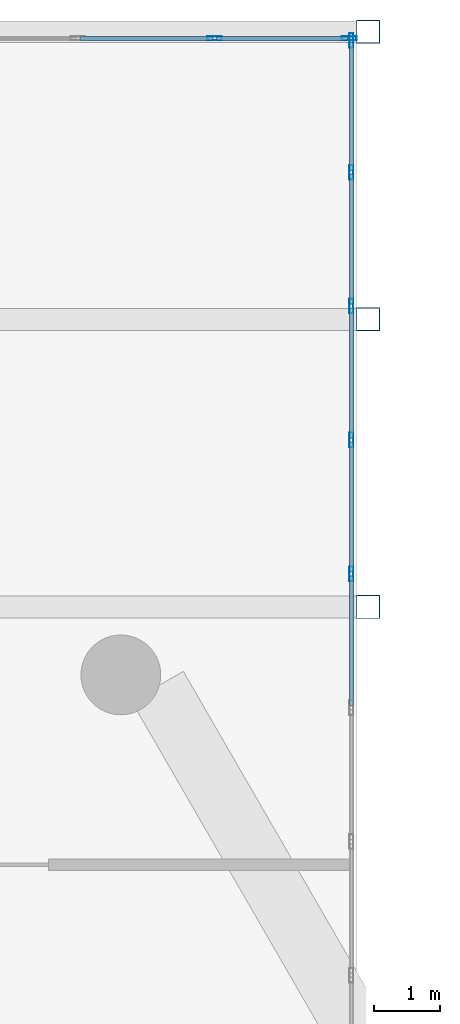
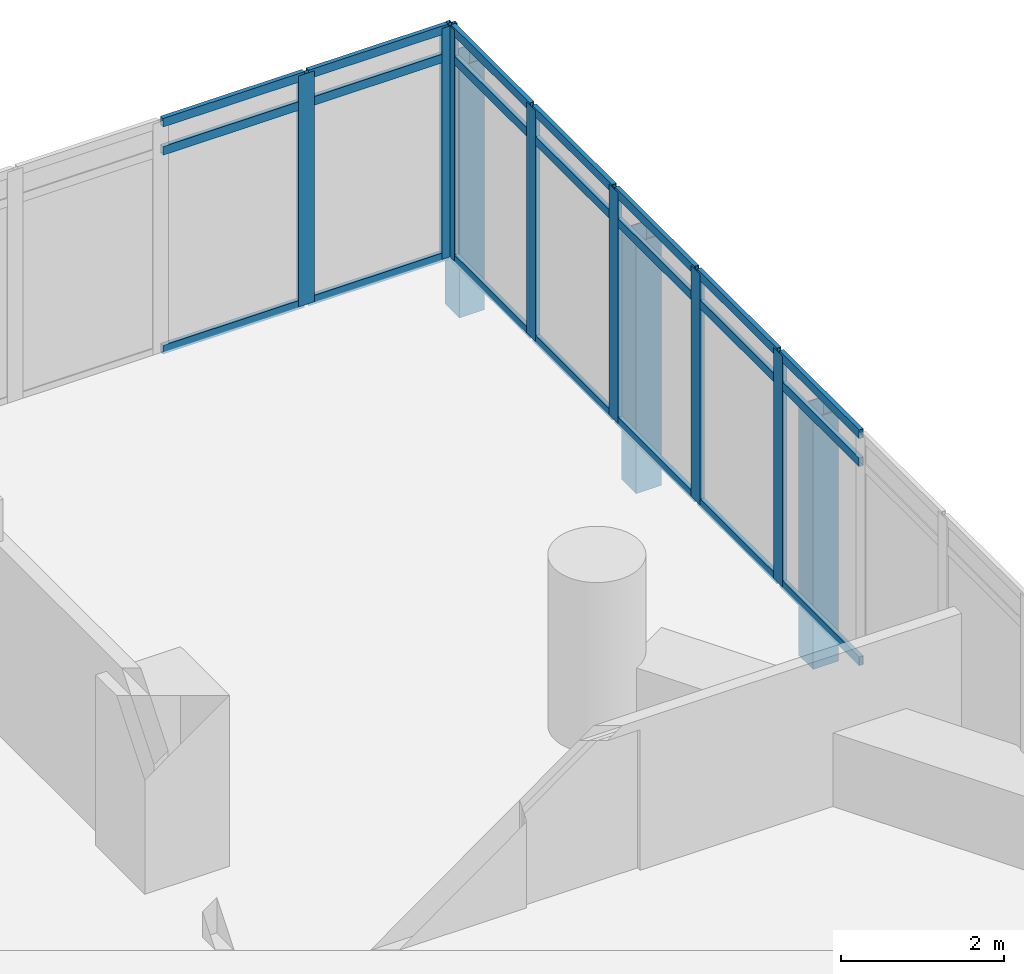
# One storey, part 23 of 36: 31 members, 2 elements without a shape of their own.
"""IFC4 building model written with IfcOpenShell, lengths in metres."""

from ifc_helpers import new_model, si_unit, direction, frame, origin, origin_2d, place, context, subcontext, project, spatial, hollow_rectangle, extrude, material, material_profile, profile_set, type_object, element, aggregate, save


model = new_model("IFC4")

# Units and contexts
model_context = context("Model", 3, precision=1e-05, world=origin(), true_north=direction((0.0, 1.0)))
body_context = subcontext(model_context, "Body", "Model", "MODEL_VIEW")
ifc_project = project(units=[si_unit("LENGTHUNIT", "METRE"), si_unit("AREAUNIT", "SQUARE_METRE"), si_unit("VOLUMEUNIT", "CUBIC_METRE"), si_unit("PLANEANGLEUNIT", "RADIAN"), si_unit("MASSUNIT", "GRAM", prefix="KILO")], contexts=[model_context])

# Site, building, storey
site_placement = place(None, origin())
site = spatial("IfcSite", under=ifc_project, at=site_placement, CompositionType="ELEMENT")
building_placement = place(site_placement, origin())
building = spatial("IfcBuilding", under=site, at=building_placement, Name="Ostrander Bayou Hotel Tower", CompositionType="ELEMENT")
storey_placement = place(building_placement, frame((0.0, 0.0, 138.5)))
storey = spatial("IfcBuildingStorey", under=building, at=storey_placement, Name="L34", CompositionType="ELEMENT", Elevation=138.5)

# Curtain wall, members
ifc_material_1 = material(Name="Aluminium and clear glass", Category="aluminium")
curtain_wall_type = type_object("IfcCurtainWallType", Name="CW-BAR glazed wall", PredefinedType="NOTDEFINED", material=ifc_material_1)
curtain_wall_1_placement = place(storey_placement, origin())
curtain_wall_1 = element("IfcCurtainWall", 1, at=curtain_wall_1_placement, inside=storey, type_object=curtain_wall_type, Name="CW-BAR L34:SB3N:T", PredefinedType="NOTDEFINED")
ifc_material_2 = material(Name="Aluminium", Category="aluminium")
ifc_material_profile_1 = material_profile(ifc_material_2, hollow_rectangle(XDim=0.06005859375, YDim=0.219970703125, WallThickness=0.00390625, at=origin_2d()))
ifc_profile_set_1 = profile_set([ifc_material_profile_1], Name="Aluminium")
member_type_1 = type_object("IfcMemberType", Name="CW-BR mullion 60 x 220 mm", PredefinedType="MULLION", material=ifc_profile_set_1)
member_1_placement = place(storey_placement, frame((11.310791015625, 29.037109375, 0.0), z_axis=(0.0, 0.0, 1.0), x_axis=(0.0, 1.0, 0.0)))
member_1 = element("IfcMember", 2, at=member_1_placement, type_object=member_type_1, Name="CW-BAR mullion 13", PredefinedType="MULLION", context=body_context, shape_type="SweptSolid", body=[
    extrude(hollow_rectangle(XDim=0.06005859375, YDim=0.219970703125, WallThickness=0.00390625, at=origin_2d()), origin(), (0.0, 0.0, 1.0), 3.449951171875),
])
member_2_placement = place(storey_placement, frame((13.337158203125, 29.037109375, 0.0), z_axis=(0.0, 0.0, 1.0), x_axis=(0.0, 1.0, 0.0)))
member_2 = element("IfcMember", 3, at=member_2_placement, type_object=member_type_1, Name="CW-BAR mullion 14", PredefinedType="MULLION", context=body_context, shape_type="SweptSolid", body=[
    extrude(hollow_rectangle(XDim=0.06005859375, YDim=0.219970703125, WallThickness=0.00390625, at=origin_2d()), origin(), (0.0, 0.0, 1.0), 3.449951171875),
])

curtain_wall_2_placement = place(storey_placement, origin())
curtain_wall_2 = element("IfcCurtainWall", 4, at=curtain_wall_2_placement, inside=storey, type_object=curtain_wall_type, Name="CW-BAR L34:SB3N:W", PredefinedType="NOTDEFINED")
member_3_placement = place(storey_placement, frame((13.3671875, 20.979248046875, 0.0), z_axis=(0.0, 0.0, 1.0), x_axis=(-1.0, 0.0, 0.0)))
member_3 = element("IfcMember", 5, at=member_3_placement, type_object=member_type_1, Name="CW-BAR mullion 5", PredefinedType="MULLION", context=body_context, shape_type="SweptSolid", body=[
    extrude(hollow_rectangle(XDim=0.06005859375, YDim=0.219970703125, WallThickness=0.00390625, at=origin_2d()), origin(), (0.0, 0.0, 1.0), 3.449951171875),
])
member_4_placement = place(storey_placement, frame((13.3671875, 22.99365234375, 0.0), z_axis=(0.0, 0.0, 1.0), x_axis=(-1.0, 0.0, 0.0)))
member_4 = element("IfcMember", 6, at=member_4_placement, type_object=member_type_1, Name="CW-BAR mullion 6", PredefinedType="MULLION", context=body_context, shape_type="SweptSolid", body=[
    extrude(hollow_rectangle(XDim=0.06005859375, YDim=0.219970703125, WallThickness=0.00390625, at=origin_2d()), origin(), (0.0, 0.0, 1.0), 3.449951171875),
])
member_5_placement = place(storey_placement, frame((13.3671875, 25.00830078125, 0.0), z_axis=(0.0, 0.0, 1.0), x_axis=(-1.0, 0.0, 0.0)))
member_5 = element("IfcMember", 7, at=member_5_placement, type_object=member_type_1, Name="CW-BAR mullion 7", PredefinedType="MULLION", context=body_context, shape_type="SweptSolid", body=[
    extrude(hollow_rectangle(XDim=0.06005859375, YDim=0.219970703125, WallThickness=0.00390625, at=origin_2d()), origin(), (0.0, 0.0, 1.0), 3.449951171875),
])
member_6_placement = place(storey_placement, frame((13.3671875, 27.022705078125, 0.0), z_axis=(0.0, 0.0, 1.0), x_axis=(-1.0, 0.0, 0.0)))
member_6 = element("IfcMember", 8, at=member_6_placement, type_object=member_type_1, Name="CW-BAR mullion 8", PredefinedType="MULLION", context=body_context, shape_type="SweptSolid", body=[
    extrude(hollow_rectangle(XDim=0.06005859375, YDim=0.219970703125, WallThickness=0.00390625, at=origin_2d()), origin(), (0.0, 0.0, 1.0), 3.449951171875),
])
member_7_placement = place(storey_placement, frame((13.3671875, 29.007080078125, 0.0), z_axis=(0.0, 0.0, 1.0), x_axis=(-1.0, 0.0, 0.0)))
member_7 = element("IfcMember", 9, at=member_7_placement, type_object=member_type_1, Name="CW-BAR mullion 9", PredefinedType="MULLION", context=body_context, shape_type="SweptSolid", body=[
    extrude(hollow_rectangle(XDim=0.06005859375, YDim=0.219970703125, WallThickness=0.00390625, at=origin_2d()), origin(), (0.0, 0.0, 1.0), 3.449951171875),
])

# Member
ifc_material_3 = material(Name="Aluminium", Category="aluminium")
ifc_material_profile_2 = material_profile(ifc_material_3, hollow_rectangle(XDim=0.06005859375, YDim=0.1298828125, WallThickness=0.00390625, at=origin_2d()))
ifc_profile_set_2 = profile_set([ifc_material_profile_2], Name="Aluminium")
member_type_2 = type_object("IfcMemberType", Name="CW-BR transom 60 x 130 mm", PredefinedType="USERDEFINED", material=ifc_profile_set_2)
member_8_placement = place(storey_placement, frame((9.2841796875, 29.037109375, 0.030029296875), z_axis=(1.0, 0.0, 0.0), x_axis=(0.0, 1.0, 0.0)))
member_8 = element("IfcMember", 10, at=member_8_placement, type_object=member_type_2, Name="CW-BAR transom 12.1", ObjectType="TRANSOM", PredefinedType="USERDEFINED", context=body_context, shape_type="SweptSolid", body=[
    extrude(hollow_rectangle(XDim=0.06005859375, YDim=0.1298828125, WallThickness=0.00390625, at=origin_2d()), origin(), (0.0, 0.0, 1.0), 1.99658203125),
])

member_9_placement = place(storey_placement, frame((9.2841796875, 29.037109375, 3.0), z_axis=(1.0, 0.0, 0.0), x_axis=(0.0, 1.0, 0.0)))
member_9 = element("IfcMember", 11, at=member_9_placement, type_object=member_type_2, Name="CW-BAR transom 12.2", ObjectType="TRANSOM", PredefinedType="USERDEFINED", context=body_context, shape_type="SweptSolid", body=[
    extrude(hollow_rectangle(XDim=0.06005859375, YDim=0.1298828125, WallThickness=0.00390625, at=origin_2d()), origin(), (0.0, 0.0, 1.0), 1.99658203125),
])

member_10_placement = place(storey_placement, frame((9.2841796875, 29.037109375, 3.419921875), z_axis=(1.0, 0.0, 0.0), x_axis=(0.0, 1.0, 0.0)))
member_10 = element("IfcMember", 12, at=member_10_placement, type_object=member_type_2, Name="CW-BAR transom 12.3", ObjectType="TRANSOM", PredefinedType="USERDEFINED", context=body_context, shape_type="SweptSolid", body=[
    extrude(hollow_rectangle(XDim=0.06005859375, YDim=0.1298828125, WallThickness=0.00390625, at=origin_2d()), origin(), (0.0, 0.0, 1.0), 1.99658203125),
])

member_11_placement = place(storey_placement, frame((11.3408203125, 29.037109375, 0.030029296875), z_axis=(1.0, 0.0, 0.0), x_axis=(0.0, 1.0, 0.0)))
member_11 = element("IfcMember", 13, at=member_11_placement, type_object=member_type_2, Name="CW-BAR transom 13.1", ObjectType="TRANSOM", PredefinedType="USERDEFINED", context=body_context, shape_type="SweptSolid", body=[
    extrude(hollow_rectangle(XDim=0.06005859375, YDim=0.1298828125, WallThickness=0.00390625, at=origin_2d()), origin(), (0.0, 0.0, 1.0), 1.96630859375),
])

member_12_placement = place(storey_placement, frame((11.3408203125, 29.037109375, 3.0), z_axis=(1.0, 0.0, 0.0), x_axis=(0.0, 1.0, 0.0)))
member_12 = element("IfcMember", 14, at=member_12_placement, type_object=member_type_2, Name="CW-BAR transom 13.2", ObjectType="TRANSOM", PredefinedType="USERDEFINED", context=body_context, shape_type="SweptSolid", body=[
    extrude(hollow_rectangle(XDim=0.06005859375, YDim=0.1298828125, WallThickness=0.00390625, at=origin_2d()), origin(), (0.0, 0.0, 1.0), 1.96630859375),
])

member_13_placement = place(storey_placement, frame((11.3408203125, 29.037109375, 3.419921875), z_axis=(1.0, 0.0, 0.0), x_axis=(0.0, 1.0, 0.0)))
member_13 = element("IfcMember", 15, at=member_13_placement, type_object=member_type_2, Name="CW-BAR transom 13.3", ObjectType="TRANSOM", PredefinedType="USERDEFINED", context=body_context, shape_type="SweptSolid", body=[
    extrude(hollow_rectangle(XDim=0.06005859375, YDim=0.1298828125, WallThickness=0.00390625, at=origin_2d()), origin(), (0.0, 0.0, 1.0), 1.96630859375),
])

aggregate(curtain_wall_1, [member_1, member_2, member_8, member_9, member_10, member_11, member_12, member_13])

member_14_placement = place(storey_placement, frame((13.3671875, 18.994873046875, 0.030029296875), z_axis=(0.0, 1.0, 0.0), x_axis=(-1.0, 0.0, 0.0)))
member_14 = element("IfcMember", 16, at=member_14_placement, type_object=member_type_2, Name="CW-BAR transom 4.1", ObjectType="TRANSOM", PredefinedType="USERDEFINED", context=body_context, shape_type="SweptSolid", body=[
    extrude(hollow_rectangle(XDim=0.06005859375, YDim=0.1298828125, WallThickness=0.00390625, at=origin_2d()), origin(), (0.0, 0.0, 1.0), 1.954345703125),
])

member_15_placement = place(storey_placement, frame((13.3671875, 18.994873046875, 3.0), z_axis=(0.0, 1.0, 0.0), x_axis=(-1.0, 0.0, 0.0)))
member_15 = element("IfcMember", 17, at=member_15_placement, type_object=member_type_2, Name="CW-BAR transom 4.2", ObjectType="TRANSOM", PredefinedType="USERDEFINED", context=body_context, shape_type="SweptSolid", body=[
    extrude(hollow_rectangle(XDim=0.06005859375, YDim=0.1298828125, WallThickness=0.00390625, at=origin_2d()), origin(), (0.0, 0.0, 1.0), 1.954345703125),
])

member_16_placement = place(storey_placement, frame((13.3671875, 18.994873046875, 3.419921875), z_axis=(0.0, 1.0, 0.0), x_axis=(-1.0, 0.0, 0.0)))
member_16 = element("IfcMember", 18, at=member_16_placement, type_object=member_type_2, Name="CW-BAR transom 4.3", ObjectType="TRANSOM", PredefinedType="USERDEFINED", context=body_context, shape_type="SweptSolid", body=[
    extrude(hollow_rectangle(XDim=0.06005859375, YDim=0.1298828125, WallThickness=0.00390625, at=origin_2d()), origin(), (0.0, 0.0, 1.0), 1.954345703125),
])

member_17_placement = place(storey_placement, frame((13.3671875, 21.00927734375, 0.030029296875), z_axis=(0.0, 1.0, 0.0), x_axis=(-1.0, 0.0, 0.0)))
member_17 = element("IfcMember", 19, at=member_17_placement, type_object=member_type_2, Name="CW-BAR transom 5.1", ObjectType="TRANSOM", PredefinedType="USERDEFINED", context=body_context, shape_type="SweptSolid", body=[
    extrude(hollow_rectangle(XDim=0.06005859375, YDim=0.1298828125, WallThickness=0.00390625, at=origin_2d()), origin(), (0.0, 0.0, 1.0), 1.95458984375),
])

member_18_placement = place(storey_placement, frame((13.3671875, 21.00927734375, 3.0), z_axis=(0.0, 1.0, 0.0), x_axis=(-1.0, 0.0, 0.0)))
member_18 = element("IfcMember", 20, at=member_18_placement, type_object=member_type_2, Name="CW-BAR transom 5.2", ObjectType="TRANSOM", PredefinedType="USERDEFINED", context=body_context, shape_type="SweptSolid", body=[
    extrude(hollow_rectangle(XDim=0.06005859375, YDim=0.1298828125, WallThickness=0.00390625, at=origin_2d()), origin(), (0.0, 0.0, 1.0), 1.95458984375),
])

member_19_placement = place(storey_placement, frame((13.3671875, 21.00927734375, 3.419921875), z_axis=(0.0, 1.0, 0.0), x_axis=(-1.0, 0.0, 0.0)))
member_19 = element("IfcMember", 21, at=member_19_placement, type_object=member_type_2, Name="CW-BAR transom 5.3", ObjectType="TRANSOM", PredefinedType="USERDEFINED", context=body_context, shape_type="SweptSolid", body=[
    extrude(hollow_rectangle(XDim=0.06005859375, YDim=0.1298828125, WallThickness=0.00390625, at=origin_2d()), origin(), (0.0, 0.0, 1.0), 1.95458984375),
])

member_20_placement = place(storey_placement, frame((13.3671875, 23.023681640625, 0.030029296875), z_axis=(0.0, 1.0, 0.0), x_axis=(-1.0, 0.0, 0.0)))
member_20 = element("IfcMember", 22, at=member_20_placement, type_object=member_type_2, Name="CW-BAR transom 6.1", ObjectType="TRANSOM", PredefinedType="USERDEFINED", context=body_context, shape_type="SweptSolid", body=[
    extrude(hollow_rectangle(XDim=0.06005859375, YDim=0.1298828125, WallThickness=0.00390625, at=origin_2d()), origin(), (0.0, 0.0, 1.0), 1.95458984375),
])

member_21_placement = place(storey_placement, frame((13.3671875, 23.023681640625, 3.0), z_axis=(0.0, 1.0, 0.0), x_axis=(-1.0, 0.0, 0.0)))
member_21 = element("IfcMember", 23, at=member_21_placement, type_object=member_type_2, Name="CW-BAR transom 6.2", ObjectType="TRANSOM", PredefinedType="USERDEFINED", context=body_context, shape_type="SweptSolid", body=[
    extrude(hollow_rectangle(XDim=0.06005859375, YDim=0.1298828125, WallThickness=0.00390625, at=origin_2d()), origin(), (0.0, 0.0, 1.0), 1.95458984375),
])

member_22_placement = place(storey_placement, frame((13.3671875, 23.023681640625, 3.419921875), z_axis=(0.0, 1.0, 0.0), x_axis=(-1.0, 0.0, 0.0)))
member_22 = element("IfcMember", 24, at=member_22_placement, type_object=member_type_2, Name="CW-BAR transom 6.3", ObjectType="TRANSOM", PredefinedType="USERDEFINED", context=body_context, shape_type="SweptSolid", body=[
    extrude(hollow_rectangle(XDim=0.06005859375, YDim=0.1298828125, WallThickness=0.00390625, at=origin_2d()), origin(), (0.0, 0.0, 1.0), 1.95458984375),
])

member_23_placement = place(storey_placement, frame((13.3671875, 25.0380859375, 0.030029296875), z_axis=(0.0, 1.0, 0.0), x_axis=(-1.0, 0.0, 0.0)))
member_23 = element("IfcMember", 25, at=member_23_placement, type_object=member_type_2, Name="CW-BAR transom 7.1", ObjectType="TRANSOM", PredefinedType="USERDEFINED", context=body_context, shape_type="SweptSolid", body=[
    extrude(hollow_rectangle(XDim=0.06005859375, YDim=0.1298828125, WallThickness=0.00390625, at=origin_2d()), origin(), (0.0, 0.0, 1.0), 1.95458984375),
])

member_24_placement = place(storey_placement, frame((13.3671875, 25.0380859375, 3.0), z_axis=(0.0, 1.0, 0.0), x_axis=(-1.0, 0.0, 0.0)))
member_24 = element("IfcMember", 26, at=member_24_placement, type_object=member_type_2, Name="CW-BAR transom 7.2", ObjectType="TRANSOM", PredefinedType="USERDEFINED", context=body_context, shape_type="SweptSolid", body=[
    extrude(hollow_rectangle(XDim=0.06005859375, YDim=0.1298828125, WallThickness=0.00390625, at=origin_2d()), origin(), (0.0, 0.0, 1.0), 1.95458984375),
])

member_25_placement = place(storey_placement, frame((13.3671875, 25.0380859375, 3.419921875), z_axis=(0.0, 1.0, 0.0), x_axis=(-1.0, 0.0, 0.0)))
member_25 = element("IfcMember", 27, at=member_25_placement, type_object=member_type_2, Name="CW-BAR transom 7.3", ObjectType="TRANSOM", PredefinedType="USERDEFINED", context=body_context, shape_type="SweptSolid", body=[
    extrude(hollow_rectangle(XDim=0.06005859375, YDim=0.1298828125, WallThickness=0.00390625, at=origin_2d()), origin(), (0.0, 0.0, 1.0), 1.95458984375),
])

member_26_placement = place(storey_placement, frame((13.3671875, 27.052734375, 0.030029296875), z_axis=(0.0, 1.0, 0.0), x_axis=(-1.0, 0.0, 0.0)))
member_26 = element("IfcMember", 28, at=member_26_placement, type_object=member_type_2, Name="CW-BAR transom 8.1", ObjectType="TRANSOM", PredefinedType="USERDEFINED", context=body_context, shape_type="SweptSolid", body=[
    extrude(hollow_rectangle(XDim=0.06005859375, YDim=0.1298828125, WallThickness=0.00390625, at=origin_2d()), origin(), (0.0, 0.0, 1.0), 1.92431640625),
])

member_27_placement = place(storey_placement, frame((13.3671875, 27.052734375, 3.0), z_axis=(0.0, 1.0, 0.0), x_axis=(-1.0, 0.0, 0.0)))
member_27 = element("IfcMember", 29, at=member_27_placement, type_object=member_type_2, Name="CW-BAR transom 8.2", ObjectType="TRANSOM", PredefinedType="USERDEFINED", context=body_context, shape_type="SweptSolid", body=[
    extrude(hollow_rectangle(XDim=0.06005859375, YDim=0.1298828125, WallThickness=0.00390625, at=origin_2d()), origin(), (0.0, 0.0, 1.0), 1.92431640625),
])

member_28_placement = place(storey_placement, frame((13.3671875, 27.052734375, 3.419921875), z_axis=(0.0, 1.0, 0.0), x_axis=(-1.0, 0.0, 0.0)))
member_28 = element("IfcMember", 30, at=member_28_placement, type_object=member_type_2, Name="CW-BAR transom 8.3", ObjectType="TRANSOM", PredefinedType="USERDEFINED", context=body_context, shape_type="SweptSolid", body=[
    extrude(hollow_rectangle(XDim=0.06005859375, YDim=0.1298828125, WallThickness=0.00390625, at=origin_2d()), origin(), (0.0, 0.0, 1.0), 1.92431640625),
])

aggregate(curtain_wall_2, [member_3, member_4, member_5, member_6, member_7, member_14, member_15, member_16, member_17, member_18, member_19, member_20, member_21, member_22, member_23, member_24, member_25, member_26, member_27, member_28])

# Members
ifc_material_4 = material(Name="Steel ASTM A500 Gr C", Category="steel")
ifc_material_profile_3 = material_profile(ifc_material_4, hollow_rectangle(XDim=0.355712890625, YDim=0.355712890625, WallThickness=0.0146484375, at=origin_2d()))
ifc_profile_set_3 = profile_set([ifc_material_profile_3], Name="Steel ASTM A500 Gr C")
member_type_3 = type_object("IfcMemberType", Name="TH1 bar hanger HSS14x14x5/8", PredefinedType="POST", material=ifc_profile_set_3)
for number, where, z_axis, x_axis, name in (
    (31, (13.6201171875, 29.13720703125, -0.921875), (0.0, 0.0, 1.0), (1.0, 0.0, 0.0), "TH1 SB3WB H1-3"),
    (32, (13.6201171875, 24.809326171875, -0.921875), (0.0, 0.0, 1.0), (1.0, 0.0, 0.0), "TH1 SB3WB H2-3"),
    (33, (13.6201171875, 20.481689453125, -0.921875), (0.0, 0.0, 1.0), (1.0, 0.0, 0.0), "TH1 SB3WB H3-3"),
):
    element("IfcMember", number, at=place(storey_placement, frame(where, z_axis=z_axis, x_axis=x_axis)), inside=storey, type_object=member_type_3, Name=name, PredefinedType="POST", context=body_context, shape_type="SweptSolid", body=[
        extrude(hollow_rectangle(XDim=0.355712890625, YDim=0.355712890625, WallThickness=0.0146484375, at=origin_2d()), origin(), (0.0, 0.0, 1.0), 3.75),
    ])

save(model, "model.ifc")
